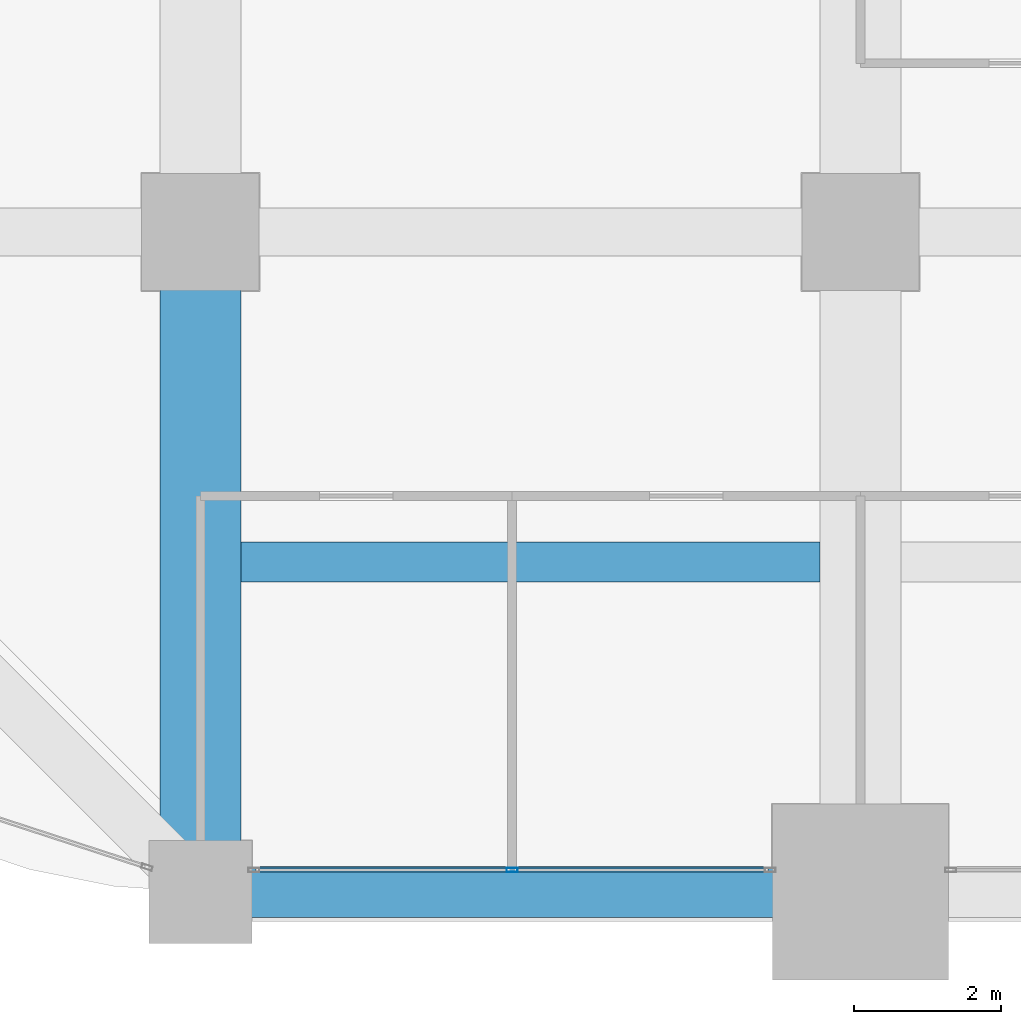
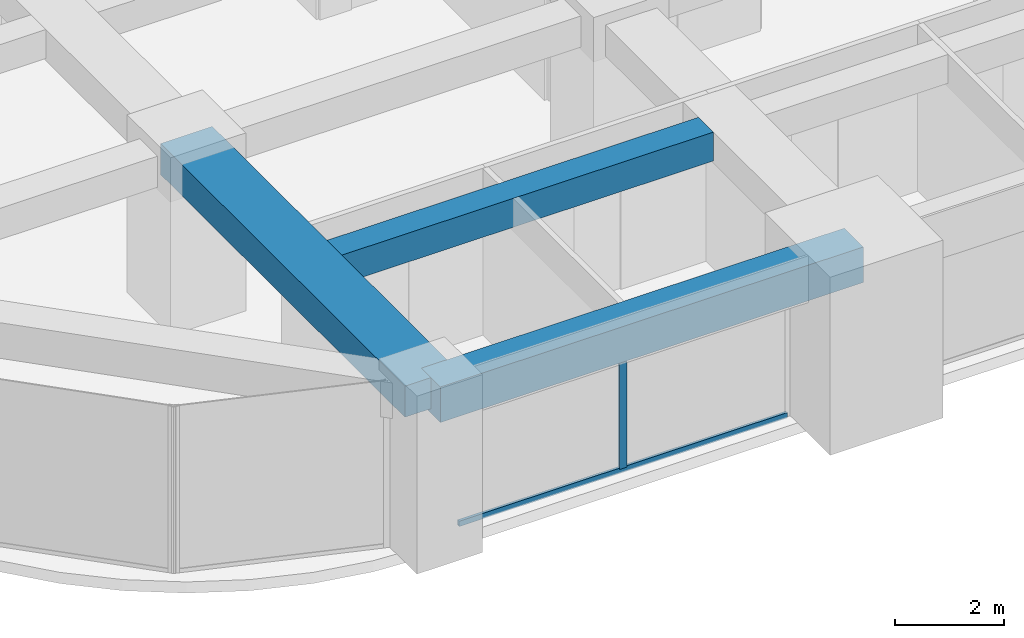
# One storey, part 3 of 32: 3 beams, 2 members, 1 element without a shape of its own.
"""IFC4 building model written with IfcOpenShell, lengths in metres."""

from ifc_helpers import new_model, si_unit, direction, frame, origin, origin_2d, place, context, subcontext, project, spatial, rectangle, hollow_rectangle, extrude, material, material_profile, profile_set, type_object, element, aggregate, save


model = new_model("IFC4")

# Units and contexts
model_context = context("Model", 3, precision=1e-05, world=origin(), true_north=direction((0.0, 1.0)))
body_context = subcontext(model_context, "Body", "Model", "MODEL_VIEW")
ifc_project = project(units=[si_unit("LENGTHUNIT", "METRE"), si_unit("AREAUNIT", "SQUARE_METRE"), si_unit("VOLUMEUNIT", "CUBIC_METRE"), si_unit("PLANEANGLEUNIT", "RADIAN"), si_unit("MASSUNIT", "GRAM", prefix="KILO")], contexts=[model_context])

# Site, building, storey
site_placement = place(None, origin())
site = spatial("IfcSite", under=ifc_project, at=site_placement, CompositionType="ELEMENT")
building_placement = place(site_placement, origin())
building = spatial("IfcBuilding", under=site, at=building_placement, Name="Zorevar Civic Tower", CompositionType="ELEMENT")
storey_placement = place(building_placement, frame((0.0, 0.0, 182.199951171875)))
storey = spatial("IfcBuildingStorey", under=building, at=storey_placement, Name="L44", CompositionType="ELEMENT", Elevation=182.199951171875)

# Beams
ifc_material_1 = material(Name="Concrete C50/60", Category="concrete")
ifc_material_profile_1 = material_profile(ifc_material_1, rectangle(XDim=1.10009765625, YDim=0.699951171875, at=origin_2d()), Name="RC 1100x700")
ifc_profile_set_1 = profile_set([ifc_material_profile_1], Name="Concrete C50/60")
beam_type_1 = type_object("IfcBeamType", Name="Beam RC 1100x700", PredefinedType="BEAM", material=ifc_profile_set_1)
beam_1_placement = place(storey_placement, frame((9.0, 0.0, 3.400146484375), z_axis=(0.0, 1.0, 0.0), x_axis=(-1.0, 0.0, 0.0)))
element("IfcBeam", 1, at=beam_1_placement, inside=storey, type_object=beam_type_1, Name="Girder L45", PredefinedType="BEAM", context=body_context, shape_type="SweptSolid", body=[
    extrude(rectangle(XDim=1.10009765625, YDim=0.699951171875, at=origin_2d()), origin(), (0.0, 0.0, 1.0), 9.0),
])
ifc_material_2 = material(Name="Concrete C50/60", Category="concrete")
ifc_material_profile_2 = material_profile(ifc_material_2, rectangle(XDim=0.550048828125, YDim=0.64990234375, at=origin_2d()), Name="RC 550x650")
ifc_profile_set_2 = profile_set([ifc_material_profile_2], Name="Concrete C50/60")
beam_type_2 = type_object("IfcBeamType", Name="Beam RC 550x650", PredefinedType="BEAM", material=ifc_profile_set_2)
beam_2_placement = place(storey_placement, frame((9.550048828125, 4.5, 3.425048828125), z_axis=(1.0, 0.0, 0.0), x_axis=(0.0, 1.0, 0.0)))
element("IfcBeam", 2, at=beam_2_placement, inside=storey, type_object=beam_type_2, Name="Secondary beam L45", PredefinedType="BEAM", context=body_context, shape_type="SweptSolid", body=[
    extrude(rectangle(XDim=0.550048828125, YDim=0.64990234375, at=origin_2d()), origin(), (0.0, 0.0, 1.0), 7.89990234375),
])

# Curtain wall, members
ifc_material_3 = material(Name="Dark grey solar-control glass in black aluminium frame", Category="aluminium")
curtain_wall_type = type_object("IfcCurtainWallType", Name="Curtain wall CW4 high zone", PredefinedType="NOTDEFINED", material=ifc_material_3)
curtain_wall_placement = place(storey_placement, origin())
curtain_wall = element("IfcCurtainWall", 3, at=curtain_wall_placement, inside=storey, type_object=curtain_wall_type, Name="CW4 L44", PredefinedType="NOTDEFINED")
ifc_material_4 = material(Name="Aluminium, black anodised", Category="aluminium")
ifc_material_profile_3 = material_profile(ifc_material_4, hollow_rectangle(XDim=0.06005859375, YDim=0.14990234375, WallThickness=0.00390625, at=origin_2d()), Name="AL 150x60x4")
ifc_profile_set_3 = profile_set([ifc_material_profile_3], Name="Aluminium, black anodised")
member_type_1 = type_object("IfcMemberType", Name="CW4 mullion AL 150x60x4", PredefinedType="MULLION", material=ifc_profile_set_3)
member_1_placement = place(storey_placement, frame((13.25, 0.300048828125, 0.06005859375), z_axis=(0.0, 0.0, 1.0), x_axis=(0.0, 1.0, 0.0)))
member_1 = element("IfcMember", 4, at=member_1_placement, type_object=member_type_1, Name="CW4 mullion 2", PredefinedType="MULLION", context=body_context, shape_type="SweptSolid", body=[
    extrude(hollow_rectangle(XDim=0.06005859375, YDim=0.14990234375, WallThickness=0.00390625, at=origin_2d()), origin(), (0.0, 0.0, 1.0), 2.889892578125),
])
ifc_material_5 = material(Name="Aluminium, black anodised", Category="aluminium")
ifc_material_profile_4 = material_profile(ifc_material_5, hollow_rectangle(XDim=0.06005859375, YDim=0.1201171875, WallThickness=0.0029296875, at=origin_2d()), Name="AL 120x60x3")
ifc_profile_set_4 = profile_set([ifc_material_profile_4], Name="Aluminium, black anodised")
member_type_2 = type_object("IfcMemberType", Name="CW4 transom AL 120x60x3", PredefinedType="USERDEFINED", material=ifc_profile_set_4)
member_2_placement = place(storey_placement, frame((9.760009765625, 0.300048828125, 0.030029296875), z_axis=(1.0, 0.0, 0.0), x_axis=(0.0, 1.0, 0.0)))
member_2 = element("IfcMember", 5, at=member_2_placement, type_object=member_type_2, Name="CW4 sill transom", ObjectType="TRANSOM", PredefinedType="USERDEFINED", context=body_context, shape_type="SweptSolid", body=[
    extrude(hollow_rectangle(XDim=0.06005859375, YDim=0.1201171875, WallThickness=0.0029296875, at=origin_2d()), origin(), (0.0, 0.0, 1.0), 6.97998046875),
])
aggregate(curtain_wall, [member_1, member_2])

# Beam
ifc_material_6 = material(Name="Concrete C50/60", Category="concrete")
ifc_material_profile_5 = material_profile(ifc_material_6, rectangle(XDim=0.699951171875, YDim=0.800048828125, at=origin_2d()), Name="RC 700x800")
ifc_profile_set_5 = profile_set([ifc_material_profile_5], Name="Concrete C50/60")
beam_type_3 = type_object("IfcBeamType", Name="Edge beam RC 700x800", PredefinedType="SPANDREL", material=ifc_profile_set_5)
beam_3_placement = place(storey_placement, frame((9.0, 0.0, 3.35009765625), z_axis=(1.0, 0.0, 0.0), x_axis=(0.0, 1.0, 0.0)))
element("IfcBeam", 6, at=beam_3_placement, inside=storey, type_object=beam_type_3, Name="Edge beam L45", PredefinedType="SPANDREL", context=body_context, shape_type="SweptSolid", body=[
    extrude(rectangle(XDim=0.699951171875, YDim=0.800048828125, at=origin_2d()), origin(), (0.0, 0.0, 1.0), 9.0),
])

save(model, "model.ifc")
